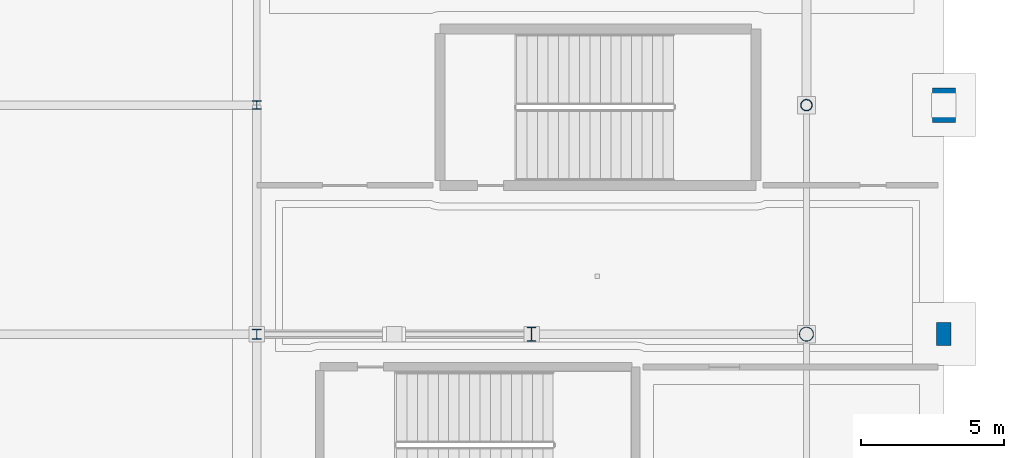
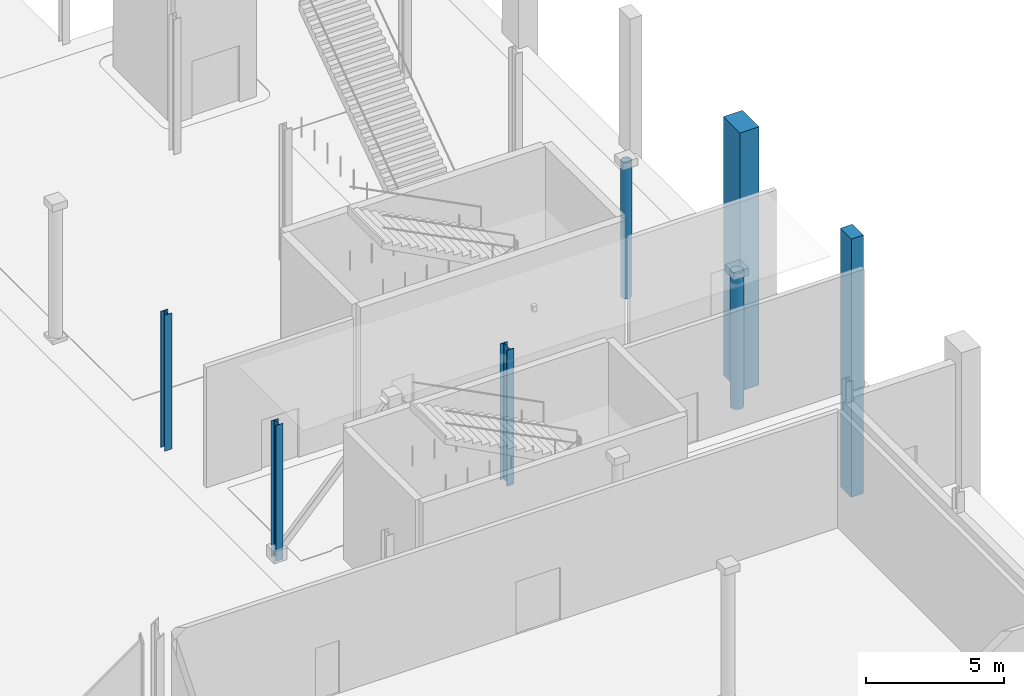
# One storey, part 22 of 124: 7 columns.
"""IFC4 building model written with IfcOpenShell, lengths in metres."""

from ifc_helpers import new_model, si_unit, direction, frame, origin, origin_2d, place, context, subcontext, project, spatial, rectangle, hollow_circle, i_section, extrude, material, material_profile, profile_set, type_object, element, save


model = new_model("IFC4")

# Units and contexts
model_context = context("Model", 3, precision=1e-05, world=origin(), true_north=direction((0.0, 1.0)))
body_context = subcontext(model_context, "Body", "Model", "MODEL_VIEW")
ifc_project = project(units=[si_unit("LENGTHUNIT", "METRE"), si_unit("AREAUNIT", "SQUARE_METRE"), si_unit("VOLUMEUNIT", "CUBIC_METRE"), si_unit("PLANEANGLEUNIT", "RADIAN"), si_unit("MASSUNIT", "GRAM", prefix="KILO")], contexts=[model_context])

# Site, building, storey
site_placement = place(None, origin())
site = spatial("IfcSite", under=ifc_project, at=site_placement, CompositionType="ELEMENT")
building_placement = place(site_placement, origin())
building = spatial("IfcBuilding", under=site, at=building_placement, Name="Danafjord Basin Convention Centre", CompositionType="ELEMENT")
storey_placement = place(building_placement, origin())
storey = spatial("IfcBuildingStorey", under=building, at=storey_placement, Name="L00", CompositionType="ELEMENT", Elevation=0.0)

# Columns
ifc_material_1 = material(Name="Steel S355", Category="steel")
ifc_material_profile_1 = material_profile(ifc_material_1, hollow_circle(Radius=0.203125, WallThickness=0.02001953125, at=origin_2d()), Name="CHS 406.4x20.0")
ifc_profile_set_1 = profile_set([ifc_material_profile_1], Name="Steel S355")
column_type_1 = type_object("IfcColumnType", Name="COL-C-CHS406", PredefinedType="COLUMN", material=ifc_profile_set_1)
column_1_placement = place(storey_placement, frame((211.199951171875, 56.0, 0.0), z_axis=(0.0, 0.0, 1.0), x_axis=(1.0, 0.0, 0.0)))
element("IfcColumn", 1, at=column_1_placement, inside=storey, type_object=column_type_1, Name="L00 column C-CHS406 at (211.2, 56.0)", PredefinedType="COLUMN", context=body_context, shape_type="SweptSolid", body=[
    extrude(hollow_circle(Radius=0.203125, WallThickness=0.02001953125, at=origin_2d()), origin(), (0.0, 0.0, 1.0), 6.0),
])
ifc_material_profile_2 = material_profile(ifc_material_1, hollow_circle(Radius=0.25390625, WallThickness=0.02490234375, at=origin_2d()), Name="CHS 508.0x25.0")
ifc_profile_set_2 = profile_set([ifc_material_profile_2], Name="Steel S355")
column_type_2 = type_object("IfcColumnType", Name="COL-C-CHS508", PredefinedType="COLUMN", material=ifc_profile_set_2)
column_2_placement = place(storey_placement, frame((211.199951171875, 48.0, 0.0), z_axis=(0.0, 0.0, 1.0), x_axis=(1.0, 0.0, 0.0)))
element("IfcColumn", 2, at=column_2_placement, inside=storey, type_object=column_type_2, Name="L00 column C-CHS508 at (211.2, 48.0)", PredefinedType="COLUMN", context=body_context, shape_type="SweptSolid", body=[
    extrude(hollow_circle(Radius=0.25390625, WallThickness=0.02490234375, at=origin_2d()), origin(), (0.0, 0.0, 1.0), 6.0),
])
ifc_material_profile_3 = material_profile(ifc_material_1, i_section(OverallWidth=0.300048828125, OverallDepth=0.300048828125, WebThickness=0.010986328125, FlangeThickness=0.01904296875, FilletRadius=0.027099609375, at=origin_2d()), Name="HEB 300")
ifc_profile_set_3 = profile_set([ifc_material_profile_3], Name="Steel S355")
column_type_3 = type_object("IfcColumnType", Name="COL-C-HEB300", PredefinedType="COLUMN", material=ifc_profile_set_3)
column_3_placement = place(storey_placement, frame((192.0, 56.0, 0.0), z_axis=(0.0, 0.0, 1.0), x_axis=(1.0, 0.0, 0.0)))
element("IfcColumn", 3, at=column_3_placement, inside=storey, type_object=column_type_3, Name="L00 column C-HEB300 at (192.0, 56.0)", PredefinedType="COLUMN", context=body_context, shape_type="SweptSolid", body=[
    extrude(i_section(OverallWidth=0.300048828125, OverallDepth=0.300048828125, WebThickness=0.010986328125, FlangeThickness=0.01904296875, FilletRadius=0.027099609375, at=origin_2d()), origin(), (0.0, 0.0, 1.0), 6.0),
])
ifc_material_profile_4 = material_profile(ifc_material_1, i_section(OverallWidth=0.300048828125, OverallDepth=0.360107421875, WebThickness=0.012451171875, FlangeThickness=0.0224609375, FilletRadius=0.027099609375, at=origin_2d()), Name="HEB 360")
ifc_profile_set_4 = profile_set([ifc_material_profile_4], Name="Steel S355")
column_type_4 = type_object("IfcColumnType", Name="COL-C-HEB360", PredefinedType="COLUMN", material=ifc_profile_set_4)
column_4_placement = place(storey_placement, frame((192.0, 48.0, 0.0), z_axis=(0.0, 0.0, 1.0), x_axis=(1.0, 0.0, 0.0)))
element("IfcColumn", 4, at=column_4_placement, inside=storey, type_object=column_type_4, Name="L00 column C-HEB360 at (192.0, 48.0)", PredefinedType="COLUMN", context=body_context, shape_type="SweptSolid", body=[
    extrude(i_section(OverallWidth=0.300048828125, OverallDepth=0.360107421875, WebThickness=0.012451171875, FlangeThickness=0.0224609375, FilletRadius=0.027099609375, at=origin_2d()), origin(), (0.0, 0.0, 1.0), 6.0),
])
ifc_material_profile_5 = material_profile(ifc_material_1, i_section(OverallWidth=0.300048828125, OverallDepth=0.5, WebThickness=0.014404296875, FlangeThickness=0.028076171875, FilletRadius=0.027099609375, at=origin_2d()), Name="HEB 500")
ifc_profile_set_5 = profile_set([ifc_material_profile_5], Name="Steel S355")
column_type_5 = type_object("IfcColumnType", Name="COL-C-HEB500", PredefinedType="COLUMN", material=ifc_profile_set_5)
column_5_placement = place(storey_placement, frame((201.60009765625, 48.0, 0.0), z_axis=(0.0, 0.0, 1.0), x_axis=(1.0, 0.0, 0.0)))
element("IfcColumn", 5, at=column_5_placement, inside=storey, type_object=column_type_5, Name="L00 column C-HEB500 at (201.6, 48.0)", PredefinedType="COLUMN", context=body_context, shape_type="SweptSolid", body=[
    extrude(i_section(OverallWidth=0.300048828125, OverallDepth=0.5, WebThickness=0.014404296875, FlangeThickness=0.028076171875, FilletRadius=0.027099609375, at=origin_2d()), origin(), (0.0, 0.0, 1.0), 6.0),
])
ifc_material_2 = material(Name="Precast concrete C45/55", Category="concrete")
ifc_material_profile_6 = material_profile(ifc_material_2, rectangle(XDim=0.800048828125, YDim=1.199951171875, at=origin_2d()), Name="RC 1200x800")
ifc_profile_set_6 = profile_set([ifc_material_profile_6], Name="Precast concrete C45/55")
column_type_6 = type_object("IfcColumnType", Name="COL-C-PIL1200", PredefinedType="PILASTER", material=ifc_profile_set_6)
column_6_placement = place(storey_placement, frame((216.0, 56.0, -5.39990234375), z_axis=(0.0, 0.0, 1.0), x_axis=(1.0, 0.0, 0.0)))
element("IfcColumn", 6, at=column_6_placement, inside=storey, type_object=column_type_6, Name="L00 column C-PIL1200 at (216.0, 56.0)", PredefinedType="PILASTER", context=body_context, shape_type="SweptSolid", body=[
    extrude(rectangle(XDim=0.800048828125, YDim=1.199951171875, at=origin_2d()), origin(), (0.0, 0.0, 1.0), 11.39990234375),
])
ifc_material_profile_7 = material_profile(ifc_material_2, rectangle(XDim=0.5, YDim=0.800048828125, at=origin_2d()), Name="PCB 500x800")
ifc_profile_set_7 = profile_set([ifc_material_profile_7], Name="Precast concrete C45/55")
column_type_7 = type_object("IfcColumnType", Name="COL-C-PIL800", PredefinedType="PILASTER", material=ifc_profile_set_7)
column_7_placement = place(storey_placement, frame((216.0, 48.0, -5.39990234375), z_axis=(0.0, 0.0, 1.0), x_axis=(1.0, 0.0, 0.0)))
element("IfcColumn", 7, at=column_7_placement, inside=storey, type_object=column_type_7, Name="L00 column C-PIL800 at (216.0, 48.0)", PredefinedType="PILASTER", context=body_context, shape_type="SweptSolid", body=[
    extrude(rectangle(XDim=0.5, YDim=0.800048828125, at=origin_2d()), origin(), (0.0, 0.0, 1.0), 11.39990234375),
])

save(model, "model.ifc")
